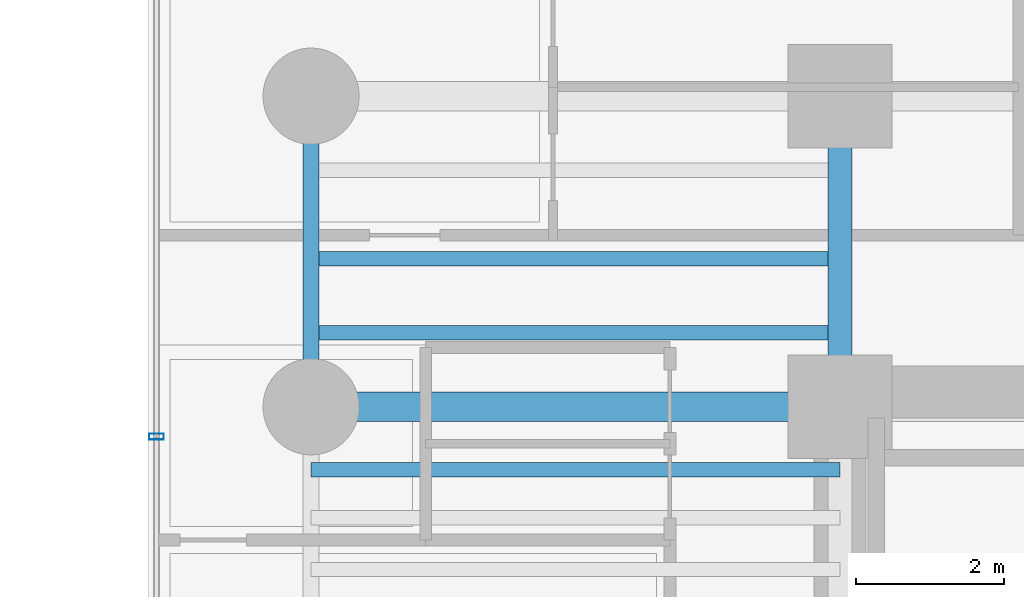
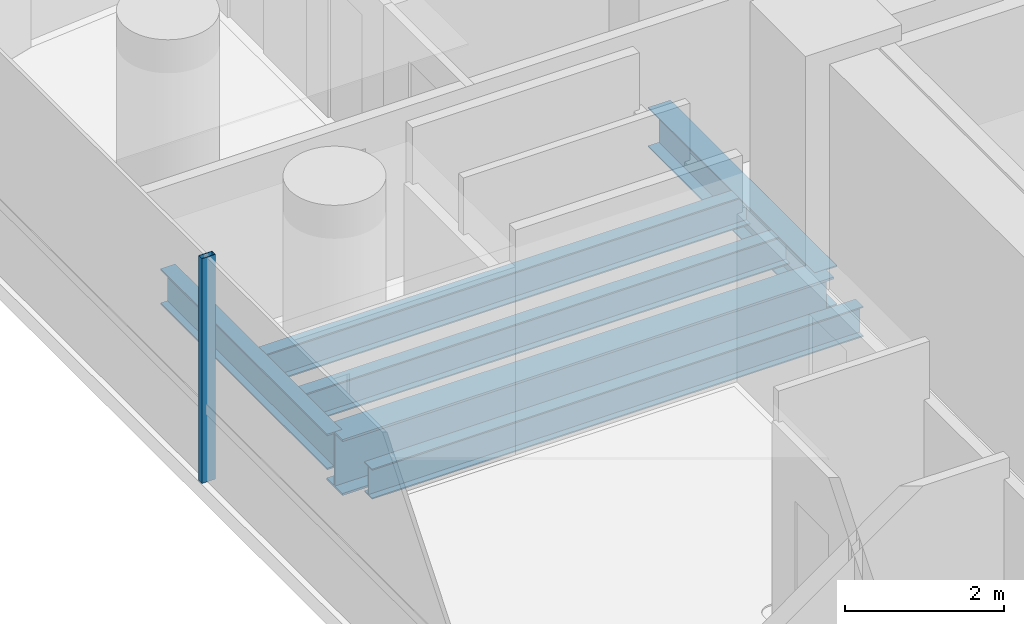
# One storey, part 10 of 41: 6 beams, 1 member, 1 element without a shape of its own.
"""IFC4 building model written with IfcOpenShell, lengths in metres."""

import ifcopenshell
import ifcopenshell.guid

model = None  # the IFC model being written
_history = None  # IfcOwnerHistory: only IFC2X3 demands one
_inside = {}  # id of a spatial element -> (the spatial element, [elements in it])
_under = {}  # id of a project, library or spatial element -> (it, [spatial elements below it])
_declared = {}  # id of a project -> (the project, [libraries it declares])
_typed = {}  # id of a type object -> (the type object, [elements of that type])
_made_of = {}  # id of a material, layer set ... -> (it, [elements and type objects made of it])


def new_model(schema):
    """Start an empty IFC model of exactly this schema.

    Asked for "IFC4X3", IfcOpenShell would pick the latest addendum, in which some entities
    have other attributes; the version numbers below select the first issue.
    IFC2X3 requires an IfcOwnerHistory on every rooted entity: one is made here for all.
    """
    global model, _history
    if schema == "IFC4X3":
        model = ifcopenshell.file(schema_version=(4, 3, 0, 0))
    else:
        model = ifcopenshell.file(schema=schema)
    _inside.clear()
    _under.clear()
    _declared.clear()
    _typed.clear()
    _made_of.clear()
    _history = None
    if model.schema == "IFC2X3":
        org = make("IfcOrganization", Name="unknown")
        user = make(
            "IfcPersonAndOrganization",
            ThePerson=make("IfcPerson", FamilyName="unknown"),
            TheOrganization=org,
        )
        app = make(
            "IfcApplication",
            ApplicationDeveloper=org,
            Version="unknown",
            ApplicationFullName="unknown",
            ApplicationIdentifier="unknown",
        )
        _history = make(
            "IfcOwnerHistory",
            OwningUser=user,
            OwningApplication=app,
            ChangeAction="ADDED",
            CreationDate=0,
        )
    return model


def make(cls, **values):
    """One entity of the class cls with the attributes given. An attribute that is None is left unset."""
    return model.create_entity(
        cls, **{name: value for name, value in values.items() if value is not None}
    )


def rooted(cls, **values):
    """An entity with a GlobalId (a new one), such as an element, a storey or a relation."""
    return make(cls, GlobalId=ifcopenshell.guid.new(), OwnerHistory=_history, **values)


def si_unit(unit_type, name, prefix=None):
    """IfcSIUnit, for example si_unit("LENGTHUNIT", "METRE", prefix="MILLI")."""
    return make("IfcSIUnit", UnitType=unit_type, Prefix=prefix, Name=name)


def assignment(units):
    """IfcUnitAssignment: the units of a project."""
    return None if units is None else make("IfcUnitAssignment", Units=units)


def point(xyz):
    """IfcCartesianPoint."""
    return None if xyz is None else make("IfcCartesianPoint", Coordinates=xyz)


def direction(xyz):
    """IfcDirection."""
    return None if xyz is None else make("IfcDirection", DirectionRatios=xyz)


def frame(location, z_axis=None, x_axis=None):
    """IfcAxis2Placement3D, a coordinate frame: its origin and axes. An axis left out is left unset."""
    return make(
        "IfcAxis2Placement3D",
        Location=point(location),
        Axis=direction(z_axis),
        RefDirection=direction(x_axis),
    )


def frame_2d(location, x_axis=None):
    """IfcAxis2Placement2D, a coordinate frame in the plane: its origin and x axis."""
    return make(
        "IfcAxis2Placement2D", Location=point(location), RefDirection=direction(x_axis)
    )


def origin():
    """The frame at (0, 0, 0) with its axes left unset."""
    return frame((0.0, 0.0, 0.0))


def origin_2d():
    """The frame at (0, 0) in the plane with its x axis left unset."""
    return frame_2d((0.0, 0.0))


def place(relative_to, where):
    """IfcLocalPlacement: puts the frame where relative to a parent placement (None: the world)."""
    return make(
        "IfcLocalPlacement", PlacementRelTo=relative_to, RelativePlacement=where
    )


def context(
    kind, dimensions, precision=None, world=None, true_north=None, identifier=None
):
    """IfcGeometricRepresentationContext, for example the 3D "Model" context."""
    return make(
        "IfcGeometricRepresentationContext",
        ContextIdentifier=identifier,
        ContextType=kind,
        CoordinateSpaceDimension=dimensions,
        Precision=precision,
        WorldCoordinateSystem=world,
        TrueNorth=true_north,
    )


def subcontext(parent, identifier, kind, view, scale=None):
    """IfcGeometricRepresentationSubContext, for example "Body" below "Model"."""
    return make(
        "IfcGeometricRepresentationSubContext",
        ContextIdentifier=identifier,
        ContextType=kind,
        ParentContext=parent,
        TargetScale=scale,
        TargetView=view,
    )


def project(units=None, contexts=None):
    """IfcProject with its units and contexts."""
    return rooted(
        "IfcProject",
        Name="project",
        RepresentationContexts=contexts,
        UnitsInContext=assignment(units),
    )


def spatial(cls, under=None, at=None, **own):
    """A site, building, storey or space (cls), placed at a placement, below another one or the project."""
    s = rooted(cls, ObjectPlacement=at, **own)
    if under is not None:
        _under.setdefault(under.id(), (under, []))[1].append(s)
    return s


def profile(cls, at=None, kind="AREA", **sizes):
    """A parametric profile (cls). Its sizes go by their IFC names, for example OverallWidth=200.0."""
    return make(cls, ProfileType=kind, Position=at, **sizes)


def hollow_rectangle(**sizes):
    """IfcRectangleHollowProfileDef."""
    return profile("IfcRectangleHollowProfileDef", **sizes)


def i_section(**sizes):
    """IfcIShapeProfileDef."""
    return profile("IfcIShapeProfileDef", **sizes)


def extrude(swept, where, along, depth):
    """IfcExtrudedAreaSolid: the profile swept, set in the frame where, extruded along a direction by depth."""
    return make(
        "IfcExtrudedAreaSolid",
        SweptArea=swept,
        Position=where,
        ExtrudedDirection=direction(along),
        Depth=depth,
    )


def shape(context_of_items, identifier, shape_type, items):
    """IfcShapeRepresentation: the items that make up one representation, for example the "Body"."""
    return make(
        "IfcShapeRepresentation",
        ContextOfItems=context_of_items,
        RepresentationIdentifier=identifier,
        RepresentationType=shape_type,
        Items=items,
    )


def source(mapping_origin, context_of_items, identifier, shape_type, items):
    """IfcRepresentationMap: a shape defined once, which mapped items show again and again."""
    return make(
        "IfcRepresentationMap",
        MappingOrigin=mapping_origin,
        MappedRepresentation=shape(context_of_items, identifier, shape_type, items),
    )


def transform(
    local_origin,
    x_axis=None,
    y_axis=None,
    z_axis=None,
    scale=None,
    scale2=None,
    scale3=None,
    uniform=True,
):
    """IfcCartesianTransformationOperator3D, or its non-uniform kind. x_axis, y_axis, z_axis: its Axis1, 2, 3."""
    if uniform:
        return make(
            "IfcCartesianTransformationOperator3D",
            Axis1=direction(x_axis),
            Axis2=direction(y_axis),
            LocalOrigin=point(local_origin),
            Scale=scale,
            Axis3=direction(z_axis),
        )
    return make(
        "IfcCartesianTransformationOperator3DnonUniform",
        Axis1=direction(x_axis),
        Axis2=direction(y_axis),
        LocalOrigin=point(local_origin),
        Scale=scale,
        Axis3=direction(z_axis),
        Scale2=scale2,
        Scale3=scale3,
    )


def mapped(mapping_source, mapping_target):
    """IfcMappedItem: shows the shape of a source again, moved by a transform."""
    return make(
        "IfcMappedItem", MappingSource=mapping_source, MappingTarget=mapping_target
    )


def material(Name=None, Category=None):
    """IfcMaterial."""
    return make("IfcMaterial", Name=Name, Category=Category)


def material_profile(
    of_material, cross_section, Name=None, Category=None, Priority=None
):
    """IfcMaterialProfile: a cross section and its material."""
    return make(
        "IfcMaterialProfile",
        Name=Name,
        Material=of_material,
        Profile=cross_section,
        Priority=Priority,
        Category=Category,
    )


def profile_set(profiles, Name=None, composite=None):
    """IfcMaterialProfileSet."""
    return make(
        "IfcMaterialProfileSet",
        Name=Name,
        MaterialProfiles=profiles,
        CompositeProfile=composite,
    )


def made_of(thing, what):
    """Note that an element or type object is made of a material, layer set ...; save() writes the relation."""
    if what is not None:
        _made_of.setdefault(what.id(), (what, []))[1].append(thing)
    return thing


def type_object(cls, material=None, **own):
    """A type object (cls), such as IfcWallType, which elements share."""
    return made_of(rooted(cls, **own), material)


def element(
    cls,
    number,
    at=None,
    inside=None,
    cuts=None,
    type_object=None,
    material=None,
    context=None,
    identifier="Body",
    shape_type=None,
    held_by="IfcProductDefinitionShape",
    body=None,
    shapes=None,
    **own,
):
    """One element of the class cls, such as IfcWall. Its Tag is "e" and its number.

    at: its placement. inside: the storey or other place that contains it. cuts: it is an
    opening in that element (IfcRelVoidsElement). A single representation is given by context,
    identifier, shape_type and body (its items); several are given by shapes. held_by: the class
    of the entity that holds the representations. save() writes the other relations.
    """
    e = rooted(cls, Tag="e%d" % number, ObjectPlacement=at, **own)
    if body is not None:
        shapes = [shape(context, identifier, shape_type, body)]
    if shapes is not None:
        e.Representation = make(held_by, Representations=shapes)
    if inside is not None:
        _inside.setdefault(inside.id(), (inside, []))[1].append(e)
    if cuts is not None:
        rooted(
            "IfcRelVoidsElement", RelatingBuildingElement=cuts, RelatedOpeningElement=e
        )
    if type_object is not None:
        _typed.setdefault(type_object.id(), (type_object, []))[1].append(e)
    return made_of(e, material)


def aggregate(whole, parts):
    """IfcRelAggregates: a whole, such as a stair, and the parts it consists of."""
    return rooted("IfcRelAggregates", RelatingObject=whole, RelatedObjects=parts)


def save(model, path):
    """Write the relations noted so far, then the file.

    IfcRelAggregates (storeys below a building ...), IfcRelContainedInSpatialStructure (elements
    in a storey), IfcRelDefinesByType, IfcRelAssociatesMaterial and IfcRelDeclares: one each for
    every whole, place, type object, material and project.
    """
    for whole, parts in _under.values():
        aggregate(whole, parts)
    for where, things in _inside.values():
        rooted(
            "IfcRelContainedInSpatialStructure",
            RelatedElements=things,
            RelatingStructure=where,
        )
    for kind, things in _typed.values():
        rooted("IfcRelDefinesByType", RelatedObjects=things, RelatingType=kind)
    for what, things in _made_of.values():
        rooted("IfcRelAssociatesMaterial", RelatedObjects=things, RelatingMaterial=what)
    for by, libraries in _declared.values():
        rooted("IfcRelDeclares", RelatingContext=by, RelatedDefinitions=libraries)
    model.write(path)


model = new_model("IFC4")

# Units and contexts
model_context = context("Model", 3, precision=1e-05, world=origin(), true_north=direction((0.0, 1.0)))
body_context = subcontext(model_context, "Body", "Model", "MODEL_VIEW")
ifc_project = project(units=[si_unit("LENGTHUNIT", "METRE"), si_unit("AREAUNIT", "SQUARE_METRE"), si_unit("VOLUMEUNIT", "CUBIC_METRE"), si_unit("PLANEANGLEUNIT", "RADIAN"), si_unit("MASSUNIT", "GRAM", prefix="KILO")], contexts=[model_context])

# Site, building, storey
site_placement = place(None, origin())
site = spatial("IfcSite", under=ifc_project, at=site_placement, CompositionType="ELEMENT")
building_placement = place(site_placement, origin())
building = spatial("IfcBuilding", under=site, at=building_placement, Name="Valdorenza Pilgrim Sanctuary Tower", CompositionType="ELEMENT")
storey_placement = place(building_placement, frame((0.0, 0.0, 59.300048828125)))
storey = spatial("IfcBuildingStorey", under=building, at=storey_placement, Name="L14", CompositionType="ELEMENT", Elevation=59.300048828125)

# Beams
ifc_material_1 = material(Name="Steel ASTM A992 Grade 50", Category="steel")
ifc_material_profile_1 = material_profile(ifc_material_1, i_section(OverallWidth=0.214111328125, OverallDepth=0.549072265625, WebThickness=0.0146484375, FlangeThickness=0.023681640625, at=origin_2d()), Name="W21X93")
ifc_profile_set_1 = profile_set([ifc_material_profile_1], Name="Steel ASTM A992 Grade 50")
beam_type_1 = type_object("IfcBeamType", Name="STR-BM-SPN-W21A", PredefinedType="SPANDREL", material=ifc_profile_set_1)
shared_shape_1 = source(origin(), body_context, "Body", "SweptSolid", [
    extrude(i_section(OverallWidth=0.214111328125, OverallDepth=0.549072265625, WebThickness=0.0146484375, FlangeThickness=0.023681640625, at=origin_2d()), origin(), (0.0, 0.0, 1.0), 4.199951171875),
])
beam_1_placement = place(storey_placement, frame((-29.800048828125, 10.60009765625, -0.5146484375), z_axis=(0.0, 1.0, 0.0), x_axis=(-1.0, 0.0, 0.0)))
element("IfcBeam", 1, at=beam_1_placement, inside=storey, type_object=beam_type_1, Name="L14 Spandrel Beam WA-W-N1N2", PredefinedType="SPANDREL", context=body_context, shape_type="MappedRepresentation", body=[
    mapped(shared_shape_1, transform((0.0, 0.0, 0.0), x_axis=(1.0, 0.0, 0.0), y_axis=(0.0, 1.0, 0.0), z_axis=(0.0, 0.0, 1.0), scale=1.0)),
])
ifc_material_profile_2 = material_profile(ifc_material_1, i_section(OverallWidth=0.323974609375, OverallDepth=0.611083984375, WebThickness=0.0126953125, FlangeThickness=0.01904296875, at=origin_2d()), Name="W24X104")
ifc_profile_set_2 = profile_set([ifc_material_profile_2], Name="Steel ASTM A992 Grade 50")
beam_type_2 = type_object("IfcBeamType", Name="STR-BM-GRD-W24B", PredefinedType="BEAM", material=ifc_profile_set_2)
shared_shape_2 = source(origin(), body_context, "Body", "SweptSolid", [
    extrude(i_section(OverallWidth=0.323974609375, OverallDepth=0.611083984375, WebThickness=0.0126953125, FlangeThickness=0.01904296875, at=origin_2d()), origin(), (0.0, 0.0, 1.0), 4.199951171875),
])
beam_2_placement = place(storey_placement, frame((-22.64990234375, 10.60009765625, -0.545654296875), z_axis=(0.0, 1.0, 0.0), x_axis=(-1.0, 0.0, 0.0)))
element("IfcBeam", 2, at=beam_2_placement, inside=storey, type_object=beam_type_2, Name="L14 Core Tie Girder CA-W-N1N2", PredefinedType="BEAM", context=body_context, shape_type="MappedRepresentation", body=[
    mapped(shared_shape_2, transform((0.0, 0.0, 0.0), x_axis=(1.0, 0.0, 0.0), y_axis=(0.0, 1.0, 0.0), z_axis=(0.0, 0.0, 1.0), scale=1.0)),
])
ifc_material_profile_3 = material_profile(ifc_material_1, i_section(OverallWidth=0.193115234375, OverallDepth=0.466064453125, WebThickness=0.011474609375, FlangeThickness=0.01904296875, at=origin_2d()), Name="W18X65")
ifc_profile_set_3 = profile_set([ifc_material_profile_3], Name="Steel ASTM A992 Grade 50")
beam_type_3 = type_object("IfcBeamType", Name="STR-BM-JST-W18A", PredefinedType="JOIST", material=ifc_profile_set_3)
shared_shape_3 = source(origin(), body_context, "Body", "SweptSolid", [
    extrude(i_section(OverallWidth=0.193115234375, OverallDepth=0.466064453125, WebThickness=0.011474609375, FlangeThickness=0.01904296875, at=origin_2d()), origin(), (0.0, 0.0, 1.0), 7.150146484375),
])
for number, where, z_axis, x_axis, name in (
    (3, (-29.800048828125, 9.75, -0.47314453125), (1.0, 0.0, 0.0), (0.0, 1.0, 0.0), "L14 Composite Floor Joist JST-WA-23"),
    (4, (-29.800048828125, 11.60009765625, -0.47314453125), (1.0, 0.0, 0.0), (0.0, 1.0, 0.0), "L14 Composite Floor Joist JST-WA-24"),
    (5, (-29.800048828125, 12.60009765625, -0.47314453125), (1.0, 0.0, 0.0), (0.0, 1.0, 0.0), "L14 Composite Floor Joist JST-WA-25"),
):
    element("IfcBeam", number, at=place(storey_placement, frame(where, z_axis=z_axis, x_axis=x_axis)), inside=storey, type_object=beam_type_3, Name=name, PredefinedType="JOIST", context=body_context, shape_type="MappedRepresentation", body=[
        mapped(shared_shape_3, transform((0.0, 0.0, 0.0), x_axis=(1.0, 0.0, 0.0), y_axis=(0.0, 1.0, 0.0), z_axis=(0.0, 0.0, 1.0), scale=1.0)),
    ])
ifc_material_profile_4 = material_profile(ifc_material_1, i_section(OverallWidth=0.39990234375, OverallDepth=0.862060546875, WebThickness=0.019775390625, FlangeThickness=0.032470703125, at=origin_2d()), Name="W33X221")
ifc_profile_set_4 = profile_set([ifc_material_profile_4], Name="Steel ASTM A992 Grade 50")
beam_type_4 = type_object("IfcBeamType", Name="STR-BM-GRD-W33", PredefinedType="BEAM", material=ifc_profile_set_4)
shared_shape_4 = source(origin(), body_context, "Body", "SweptSolid", [
    extrude(i_section(OverallWidth=0.39990234375, OverallDepth=0.862060546875, WebThickness=0.019775390625, FlangeThickness=0.032470703125, at=origin_2d()), origin(), (0.0, 0.0, 1.0), 7.150146484375),
])
beam_3_placement = place(storey_placement, frame((-29.800048828125, 10.60009765625, -0.671142578125), z_axis=(1.0, 0.0, 0.0), x_axis=(0.0, 1.0, 0.0)))
element("IfcBeam", 6, at=beam_3_placement, inside=storey, type_object=beam_type_4, Name="L14 Floor Girder WA-XW-N1", PredefinedType="BEAM", context=body_context, shape_type="MappedRepresentation", body=[
    mapped(shared_shape_4, transform((0.0, 0.0, 0.0), x_axis=(1.0, 0.0, 0.0), y_axis=(0.0, 1.0, 0.0), z_axis=(0.0, 0.0, 1.0), scale=1.0)),
])

# Curtain wall, member
ifc_material_2 = material(Name="Curtain-wall IGU glazing", Category="glass")
curtain_wall_type = type_object("IfcCurtainWallType", Name="CW-SYS-02", PredefinedType="NOTDEFINED", material=ifc_material_2)
curtain_wall_placement = place(storey_placement, origin())
curtain_wall = element("IfcCurtainWall", 7, at=curtain_wall_placement, inside=storey, type_object=curtain_wall_type, Name="L14 Curtain Wall CW-L14-1-1S2", PredefinedType="NOTDEFINED")
ifc_material_3 = material(Name="Anodised aluminium AW-6060", Category="aluminium")
ifc_material_profile_5 = material_profile(ifc_material_3, hollow_rectangle(XDim=0.0849609375, YDim=0.199951171875, WallThickness=0.0048828125, at=origin_2d()), Name="ALU-M 200x85x5")
ifc_profile_set_5 = profile_set([ifc_material_profile_5], Name="Anodised aluminium AW-6060")
member_type = type_object("IfcMemberType", Name="CW-MUL-02", PredefinedType="MULLION", material=ifc_profile_set_5)
shared_shape_5 = source(origin(), body_context, "Body", "SweptSolid", [
    extrude(hollow_rectangle(XDim=0.0849609375, YDim=0.199951171875, WallThickness=0.0048828125, at=origin_2d()), origin(), (0.0, 0.0, 1.0), 3.4599609375),
])
member_placement = place(storey_placement, frame((-31.889892578125, 10.19580078125, 0.0), z_axis=(0.0, 0.0, 1.0), x_axis=(0.0, 1.0, 0.0)))
member = element("IfcMember", 8, at=member_placement, type_object=member_type, Name="CW-L14-1-1S2 Mullion 3", PredefinedType="MULLION", context=body_context, shape_type="MappedRepresentation", body=[
    mapped(shared_shape_5, transform((0.0, 0.0, 0.0), x_axis=(1.0, 0.0, 0.0), y_axis=(0.0, 1.0, 0.0), z_axis=(0.0, 0.0, 1.0), scale=1.0)),
])
aggregate(curtain_wall, [member])

save(model, "model.ifc")
